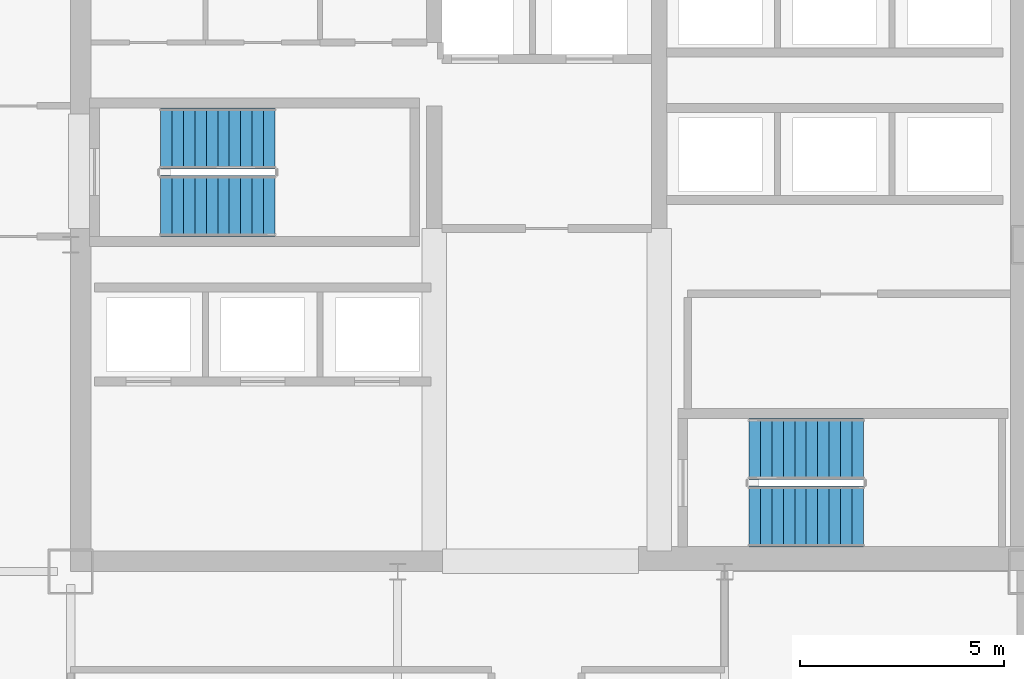
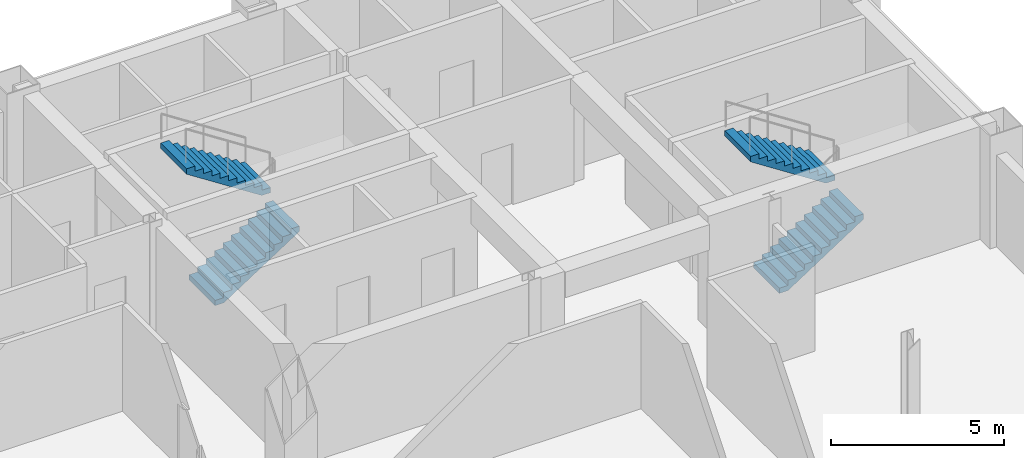
# One storey, part 8 of 10: 4 stair flights, 2 elements without a shape of their own.
"""IFC4 building model written with IfcOpenShell, lengths in metres."""

from ifc_helpers import new_model, si_unit, direction, frame, origin, place, context, subcontext, project, spatial, polyline, outline, extrude, material, type_object, element, aggregate, save


model = new_model("IFC4")

# Units and contexts
model_context = context("Model", 3, precision=1e-05, world=origin(), true_north=direction((0.0, 1.0)))
body_context = subcontext(model_context, "Body", "Model", "MODEL_VIEW")
ifc_project = project(units=[si_unit("LENGTHUNIT", "METRE"), si_unit("AREAUNIT", "SQUARE_METRE"), si_unit("VOLUMEUNIT", "CUBIC_METRE"), si_unit("PLANEANGLEUNIT", "RADIAN"), si_unit("MASSUNIT", "GRAM", prefix="KILO")], contexts=[model_context])

# Site, building, storey
site_placement = place(None, origin())
site = spatial("IfcSite", under=ifc_project, at=site_placement, CompositionType="ELEMENT")
building_placement = place(site_placement, origin())
building = spatial("IfcBuilding", under=site, at=building_placement, Name="Qianrong Seaharbour Tower", CompositionType="ELEMENT")
storey_placement = place(building_placement, frame((0.0, 0.0, 139.0)))
storey = spatial("IfcBuildingStorey", under=building, at=storey_placement, Name="L33", CompositionType="ELEMENT", Elevation=139.0)

# Stair, stair flights
ifc_material = material(Name="Concrete C50/60", Category="concrete")
stair_type = type_object("IfcStairType", Name="STAIR-DOGLEG-1500-R22", PredefinedType="HALF_TURN_STAIR", material=ifc_material)
stair_1_placement = place(storey_placement, origin())
stair_1 = element("IfcStair", 1, at=stair_1_placement, inside=storey, type_object=stair_type, Name="L33 Protected Escape Stair ST-1", PredefinedType="HALF_TURN_STAIR")
stair_flight_type = type_object("IfcStairFlightType", Name="FLIGHT-STR-1500-R22", PredefinedType="STRAIGHT", material=ifc_material)
stair_flight_1_placement = place(storey_placement, frame((42.699951171875, 44.949951171875, 0.0), z_axis=(0.0, 0.0, 1.0), x_axis=(1.0, 0.0, 0.0)))
stair_flight_1 = element("IfcStairFlight", 2, at=stair_flight_1_placement, type_object=stair_flight_type, Name="ST-1 flight 1", NumberOfRisers=11, NumberOfTreads=10, PredefinedType="STRAIGHT", RiserHeight=0.181818182, TreadLength=0.28, context=body_context, shape_type="SweptSolid", body=[
    extrude(outline(polyline([(0.0, 0.0), (0.0, 0.181884765625), (0.280029296875, 0.181884765625), (0.280029296875, 0.363525390625), (0.56005859375, 0.363525390625), (0.56005859375, 0.54541015625), (0.840087890625, 0.54541015625), (0.840087890625, 0.727294921875), (1.1201171875, 0.727294921875), (1.1201171875, 0.9091796875), (1.39990234375, 0.9091796875), (1.39990234375, 1.0908203125), (1.679931640625, 1.0908203125), (1.679931640625, 1.272705078125), (1.9599609375, 1.272705078125), (1.9599609375, 1.45458984375), (2.239990234375, 1.45458984375), (2.239990234375, 1.636474609375), (2.52001953125, 1.636474609375), (2.52001953125, 1.818115234375), (2.800048828125, 1.818115234375), (2.800048828125, 2.0), (2.800048828125, 1.62744140625), (0.293701171875, 0.0), (0.0, 0.0)])), frame((0.0, 0.75, 0.0), z_axis=(0.0, -1.0, 0.0), x_axis=(1.0, 0.0, 0.0)), (0.0, 0.0, 1.0), 1.5),
])
stair_flight_2_placement = place(storey_placement, frame((45.5, 46.60009765625, 2.0), z_axis=(0.0, 0.0, 1.0), x_axis=(-1.0, 0.0, 0.0)))
stair_flight_2 = element("IfcStairFlight", 3, at=stair_flight_2_placement, type_object=stair_flight_type, Name="ST-1 flight 2", NumberOfRisers=11, NumberOfTreads=10, PredefinedType="STRAIGHT", RiserHeight=0.181818182, TreadLength=0.28, context=body_context, shape_type="SweptSolid", body=[
    extrude(outline(polyline([(0.0, 0.0), (0.0, 0.181884765625), (0.280029296875, 0.181884765625), (0.280029296875, 0.363525390625), (0.56005859375, 0.363525390625), (0.56005859375, 0.54541015625), (0.840087890625, 0.54541015625), (0.840087890625, 0.727294921875), (1.1201171875, 0.727294921875), (1.1201171875, 0.9091796875), (1.39990234375, 0.9091796875), (1.39990234375, 1.0908203125), (1.679931640625, 1.0908203125), (1.679931640625, 1.272705078125), (1.9599609375, 1.272705078125), (1.9599609375, 1.45458984375), (2.239990234375, 1.45458984375), (2.239990234375, 1.636474609375), (2.52001953125, 1.636474609375), (2.52001953125, 1.818115234375), (2.800048828125, 1.818115234375), (2.800048828125, 2.0), (2.800048828125, 1.62744140625), (0.293701171875, 0.0), (0.0, 0.0)])), frame((0.0, 0.75, 0.0), z_axis=(0.0, -1.0, 0.0), x_axis=(1.0, 0.0, 0.0)), (0.0, 0.0, 1.0), 1.5),
])
aggregate(stair_1, [stair_flight_1, stair_flight_2])

stair_2_placement = place(storey_placement, origin())
stair_2 = element("IfcStair", 4, at=stair_2_placement, inside=storey, type_object=stair_type, Name="L33 Protected Escape Stair ST-2", PredefinedType="HALF_TURN_STAIR")
stair_flight_3_placement = place(storey_placement, frame((57.10009765625, 37.35009765625, 0.0), z_axis=(0.0, 0.0, 1.0), x_axis=(1.0, 0.0, 0.0)))
stair_flight_3 = element("IfcStairFlight", 5, at=stair_flight_3_placement, type_object=stair_flight_type, Name="ST-2 flight 1", NumberOfRisers=11, NumberOfTreads=10, PredefinedType="STRAIGHT", RiserHeight=0.181818182, TreadLength=0.28, context=body_context, shape_type="SweptSolid", body=[
    extrude(outline(polyline([(0.0, 0.0), (0.0, 0.181884765625), (0.280029296875, 0.181884765625), (0.280029296875, 0.363525390625), (0.56005859375, 0.363525390625), (0.56005859375, 0.54541015625), (0.840087890625, 0.54541015625), (0.840087890625, 0.727294921875), (1.1201171875, 0.727294921875), (1.1201171875, 0.9091796875), (1.39990234375, 0.9091796875), (1.39990234375, 1.0908203125), (1.679931640625, 1.0908203125), (1.679931640625, 1.272705078125), (1.9599609375, 1.272705078125), (1.9599609375, 1.45458984375), (2.239990234375, 1.45458984375), (2.239990234375, 1.636474609375), (2.52001953125, 1.636474609375), (2.52001953125, 1.818115234375), (2.800048828125, 1.818115234375), (2.800048828125, 2.0), (2.800048828125, 1.62744140625), (0.293701171875, 0.0), (0.0, 0.0)])), frame((0.0, 0.75, 0.0), z_axis=(0.0, -1.0, 0.0), x_axis=(1.0, 0.0, 0.0)), (0.0, 0.0, 1.0), 1.5),
])
stair_flight_4_placement = place(storey_placement, frame((59.89990234375, 39.0, 2.0), z_axis=(0.0, 0.0, 1.0), x_axis=(-1.0, 0.0, 0.0)))
stair_flight_4 = element("IfcStairFlight", 6, at=stair_flight_4_placement, type_object=stair_flight_type, Name="ST-2 flight 2", NumberOfRisers=11, NumberOfTreads=10, PredefinedType="STRAIGHT", RiserHeight=0.181818182, TreadLength=0.28, context=body_context, shape_type="SweptSolid", body=[
    extrude(outline(polyline([(0.0, 0.0), (0.0, 0.181884765625), (0.280029296875, 0.181884765625), (0.280029296875, 0.363525390625), (0.56005859375, 0.363525390625), (0.56005859375, 0.54541015625), (0.840087890625, 0.54541015625), (0.840087890625, 0.727294921875), (1.1201171875, 0.727294921875), (1.1201171875, 0.9091796875), (1.39990234375, 0.9091796875), (1.39990234375, 1.0908203125), (1.679931640625, 1.0908203125), (1.679931640625, 1.272705078125), (1.9599609375, 1.272705078125), (1.9599609375, 1.45458984375), (2.239990234375, 1.45458984375), (2.239990234375, 1.636474609375), (2.52001953125, 1.636474609375), (2.52001953125, 1.818115234375), (2.800048828125, 1.818115234375), (2.800048828125, 2.0), (2.800048828125, 1.62744140625), (0.293701171875, 0.0), (0.0, 0.0)])), frame((0.0, 0.75, 0.0), z_axis=(0.0, -1.0, 0.0), x_axis=(1.0, 0.0, 0.0)), (0.0, 0.0, 1.0), 1.5),
])
aggregate(stair_2, [stair_flight_3, stair_flight_4])

save(model, "model.ifc")
